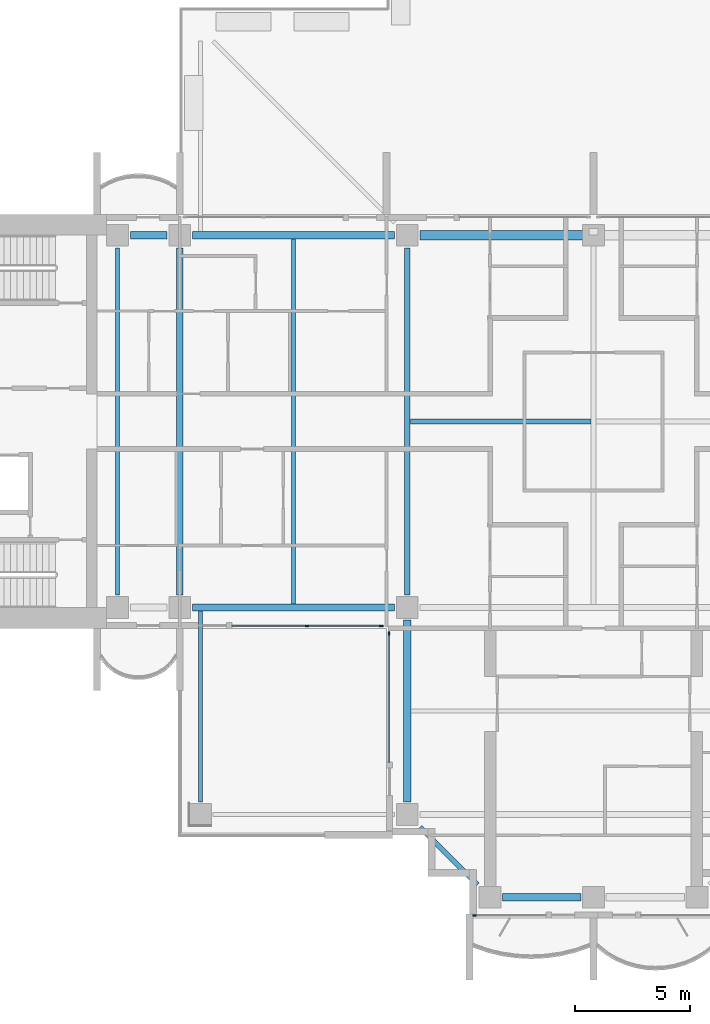
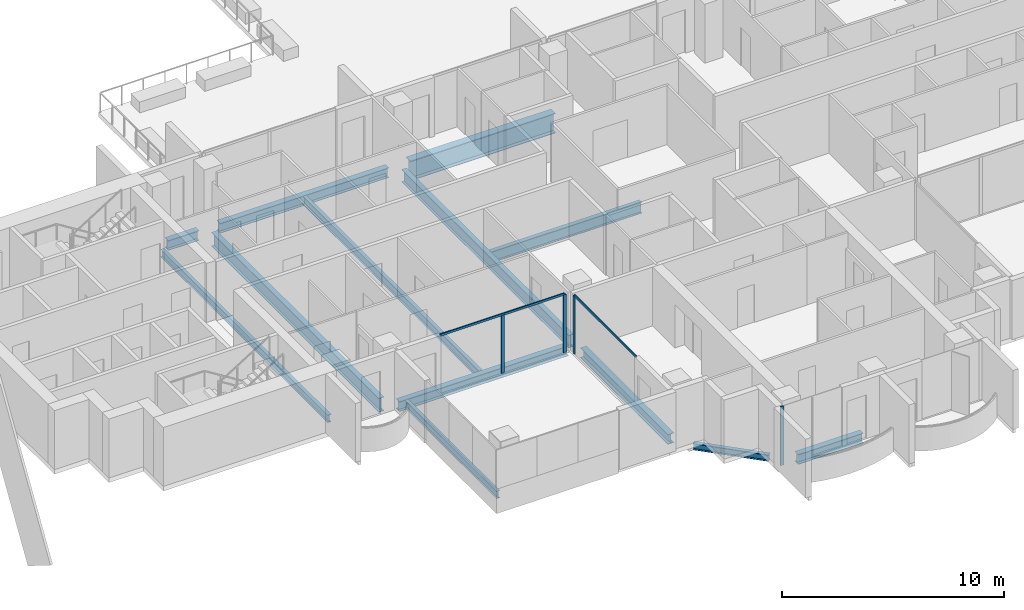
# One storey, part 2 of 18: 13 beams, 6 members, 3 elements without a shape of their own.
"""IFC4 building model written with IfcOpenShell, lengths in metres."""

from ifc_helpers import new_model, si_unit, direction, frame, origin, origin_2d, place, context, subcontext, project, spatial, rectangle, i_section, extrude, material, material_profile, profile_set, type_object, element, aggregate, save


model = new_model("IFC4")

# Units and contexts
model_context = context("Model", 3, precision=1e-05, world=origin(), true_north=direction((0.0, 1.0)))
body_context = subcontext(model_context, "Body", "Model", "MODEL_VIEW")
ifc_project = project(units=[si_unit("LENGTHUNIT", "METRE"), si_unit("AREAUNIT", "SQUARE_METRE"), si_unit("VOLUMEUNIT", "CUBIC_METRE"), si_unit("PLANEANGLEUNIT", "RADIAN"), si_unit("MASSUNIT", "GRAM", prefix="KILO")], contexts=[model_context])

# Site, building, storey
site_placement = place(None, origin())
site = spatial("IfcSite", under=ifc_project, at=site_placement, CompositionType="ELEMENT")
building_placement = place(site_placement, origin())
building = spatial("IfcBuilding", under=site, at=building_placement, Name="Perihelion Cross Residences", CompositionType="ELEMENT")
storey_placement = place(building_placement, frame((0.0, 0.0, 166.60009765625)))
storey = spatial("IfcBuildingStorey", under=building, at=storey_placement, Name="L40", CompositionType="ELEMENT", Elevation=166.60009765625)

# Curtain wall, members
ifc_material_1 = material(Name="Bronze anodised aluminium, tinted glazing", Category="aluminium")
curtain_wall_type = type_object("IfcCurtainWallType", Name="CW1", PredefinedType="NOTDEFINED", material=ifc_material_1)
curtain_wall_1_placement = place(storey_placement, origin())
curtain_wall_1 = element("IfcCurtainWall", 1, at=curtain_wall_1_placement, inside=storey, type_object=curtain_wall_type, Name="Curtain wall CW1 L40 west side south bay 2", PredefinedType="NOTDEFINED")
ifc_material_2 = material(Name="Bronze anodised aluminium", Category="aluminium")
ifc_material_profile_1 = material_profile(ifc_material_2, rectangle(XDim=0.06005859375, YDim=0.159912109375, at=origin_2d()), Name="CW1 mullion")
ifc_profile_set_1 = profile_set([ifc_material_profile_1], Name="Bronze anodised aluminium")
member_type_1 = type_object("IfcMemberType", Name="CW1 mullion", PredefinedType="MULLION", material=ifc_profile_set_1)
member_1_placement = place(storey_placement, frame((-12.46240234375, -8.89990234375, 0.0), z_axis=(0.0, 0.0, 1.0), x_axis=(0.0, 1.0, 0.0)))
member_1 = element("IfcMember", 2, at=member_1_placement, type_object=member_type_1, Name="CW1 mullion 2", PredefinedType="MULLION", context=body_context, shape_type="SweptSolid", body=[
    extrude(rectangle(XDim=0.06005859375, YDim=0.159912109375, at=origin_2d()), origin(), (0.0, 0.0, 1.0), 3.18994140625),
])
member_2_placement = place(storey_placement, frame((-9.22998046875, -8.89990234375, 0.0), z_axis=(0.0, 0.0, 1.0), x_axis=(0.0, 1.0, 0.0)))
member_2 = element("IfcMember", 3, at=member_2_placement, type_object=member_type_1, Name="CW1 mullion 3", PredefinedType="MULLION", context=body_context, shape_type="SweptSolid", body=[
    extrude(rectangle(XDim=0.06005859375, YDim=0.159912109375, at=origin_2d()), origin(), (0.0, 0.0, 1.0), 3.18994140625),
])

# Curtain wall, member
curtain_wall_2_placement = place(storey_placement, origin())
curtain_wall_2 = element("IfcCurtainWall", 4, at=curtain_wall_2_placement, inside=storey, type_object=curtain_wall_type, Name="Curtain wall CW1 L40 south side west bay 1", PredefinedType="NOTDEFINED")
member_3_placement = place(storey_placement, frame((-8.89990234375, -9.22998046875, 0.0), z_axis=(0.0, 0.0, 1.0), x_axis=(1.0, 0.0, 0.0)))
member_3 = element("IfcMember", 5, at=member_3_placement, type_object=member_type_1, Name="CW1 mullion 1", PredefinedType="MULLION", context=body_context, shape_type="SweptSolid", body=[
    extrude(rectangle(XDim=0.06005859375, YDim=0.159912109375, at=origin_2d()), origin(), (0.0, 0.0, 1.0), 3.18994140625),
])

curtain_wall_3_placement = place(storey_placement, origin())
curtain_wall_3 = element("IfcCurtainWall", 6, at=curtain_wall_3_placement, inside=storey, type_object=curtain_wall_type, Name="Curtain wall CW1 L40 south tip south bay 1", PredefinedType="NOTDEFINED")
member_4_placement = place(storey_placement, frame((-5.169921875, -21.5, 0.0), z_axis=(0.0, 0.0, 1.0), x_axis=(0.0, 1.0, 0.0)))
member_4 = element("IfcMember", 7, at=member_4_placement, type_object=member_type_1, Name="CW1 mullion 1", PredefinedType="MULLION", context=body_context, shape_type="SweptSolid", body=[
    extrude(rectangle(XDim=0.06005859375, YDim=0.159912109375, at=origin_2d()), origin(), (0.0, 0.0, 1.0), 3.25),
])
aggregate(curtain_wall_3, [member_4])

# Member
ifc_material_3 = material(Name="Bronze anodised aluminium", Category="aluminium")
ifc_material_profile_2 = material_profile(ifc_material_3, rectangle(XDim=0.06005859375, YDim=0.1201171875, at=origin_2d()), Name="CW1 transom")
ifc_profile_set_2 = profile_set([ifc_material_profile_2], Name="Bronze anodised aluminium")
member_type_2 = type_object("IfcMemberType", Name="CW1 transom", PredefinedType="USERDEFINED", material=ifc_profile_set_2)
member_5_placement = place(storey_placement, frame((-15.72509765625, -8.89990234375, 3.219970703125), z_axis=(1.0, 0.0, 0.0), x_axis=(0.0, 1.0, 0.0)))
member_5 = element("IfcMember", 8, at=member_5_placement, type_object=member_type_2, Name="CW1 head transom", ObjectType="TRANSOM", PredefinedType="USERDEFINED", context=body_context, shape_type="SweptSolid", body=[
    extrude(rectangle(XDim=0.06005859375, YDim=0.1201171875, at=origin_2d()), origin(), (0.0, 0.0, 1.0), 6.4951171875),
])

aggregate(curtain_wall_1, [member_1, member_2, member_5])

member_6_placement = place(storey_placement, frame((-8.89990234375, -9.22998046875, 3.219970703125), z_axis=(0.0, -1.0, 0.0), x_axis=(1.0, 0.0, 0.0)))
member_6 = element("IfcMember", 9, at=member_6_placement, type_object=member_type_2, Name="CW1 head transom", ObjectType="TRANSOM", PredefinedType="USERDEFINED", context=body_context, shape_type="SweptSolid", body=[
    extrude(rectangle(XDim=0.06005859375, YDim=0.1201171875, at=origin_2d()), origin(), (0.0, 0.0, 1.0), 5.594970703125),
])

aggregate(curtain_wall_2, [member_3, member_6])

# Beams
ifc_material_4 = material(Name="Steel S355", Category="steel")
ifc_material_profile_3 = material_profile(ifc_material_4, i_section(OverallWidth=0.177978515625, OverallDepth=0.406005859375, WebThickness=0.0078125, FlangeThickness=0.0126953125, at=origin_2d()), Name="W410x60")
ifc_profile_set_3 = profile_set([ifc_material_profile_3], Name="Steel S355")
beam_type_1 = type_object("IfcBeamType", Name="Core edge beam W410x60", PredefinedType="BEAM", material=ifc_profile_set_3)
beam_1_placement = place(storey_placement, frame((-17.10009765625, -8.256103515625, -0.453125), z_axis=(0.0, -1.0, 0.0), x_axis=(1.0, 0.0, 0.0)))
element("IfcBeam", 10, at=beam_1_placement, inside=storey, type_object=beam_type_1, Name="Core edge beam TB2 L40 corner no. 1", PredefinedType="BEAM", context=body_context, shape_type="SweptSolid", body=[
    extrude(i_section(OverallWidth=0.177978515625, OverallDepth=0.406005859375, WebThickness=0.0078125, FlangeThickness=0.0126953125, at=origin_2d()), origin(), (0.0, 0.0, 1.0), 8.2939453125),
])
ifc_material_5 = material(Name="Steel S355", Category="steel")
ifc_material_profile_4 = material_profile(ifc_material_5, i_section(OverallWidth=0.180908203125, OverallDepth=0.4169921875, WebThickness=0.010986328125, FlangeThickness=0.018310546875, at=origin_2d()), Name="W410x85")
ifc_profile_set_4 = profile_set([ifc_material_profile_4], Name="Steel S355")
beam_type_2 = type_object("IfcBeamType", Name="Core edge beam W410x85", PredefinedType="BEAM", material=ifc_profile_set_4)
beam_2_placement = place(storey_placement, frame((-20.699951171875, -7.550048828125, -0.45849609375), z_axis=(0.0, 1.0, 0.0), x_axis=(-1.0, 0.0, 0.0)))
element("IfcBeam", 11, at=beam_2_placement, inside=storey, type_object=beam_type_2, Name="Core edge beam TB6 L40 no. 1", PredefinedType="BEAM", context=body_context, shape_type="SweptSolid", body=[
    extrude(i_section(OverallWidth=0.180908203125, OverallDepth=0.4169921875, WebThickness=0.010986328125, FlangeThickness=0.018310546875, at=origin_2d()), origin(), (0.0, 0.0, 1.0), 15.10009765625),
])
ifc_material_6 = material(Name="Steel S355", Category="steel")
ifc_material_profile_5 = material_profile(ifc_material_6, i_section(OverallWidth=0.31201171875, OverallDepth=0.5439453125, WebThickness=0.0126953125, FlangeThickness=0.020263671875, at=origin_2d()), Name="W530x150")
ifc_profile_set_5 = profile_set([ifc_material_profile_5], Name="Steel S355")
beam_type_3 = type_object("IfcBeamType", Name="Edge beam W530x150", PredefinedType="SPANDREL", material=ifc_profile_set_5)
beam_3_placement = place(storey_placement, frame((-8.64990234375, 8.10009765625, -0.522216796875), z_axis=(-1.0, 0.0, 0.0), x_axis=(0.0, -1.0, 0.0)))
element("IfcBeam", 12, at=beam_3_placement, inside=storey, type_object=beam_type_3, Name="Edge beam SB4 L40 no. 6", PredefinedType="SPANDREL", context=body_context, shape_type="SweptSolid", body=[
    extrude(i_section(OverallWidth=0.31201171875, OverallDepth=0.5439453125, WebThickness=0.0126953125, FlangeThickness=0.020263671875, at=origin_2d()), origin(), (0.0, 0.0, 1.0), 8.800048828125),
])
beam_4_placement = place(storey_placement, frame((-18.550048828125, 8.10009765625, -0.522216796875), z_axis=(-1.0, 0.0, 0.0), x_axis=(0.0, -1.0, 0.0)))
element("IfcBeam", 13, at=beam_4_placement, inside=storey, type_object=beam_type_3, Name="Edge beam SB4 L40 no. 2", PredefinedType="SPANDREL", context=body_context, shape_type="SweptSolid", body=[
    extrude(i_section(OverallWidth=0.31201171875, OverallDepth=0.5439453125, WebThickness=0.0126953125, FlangeThickness=0.020263671875, at=origin_2d()), origin(), (0.0, 0.0, 1.0), 1.599853515625),
])
beam_5_placement = place(storey_placement, frame((-17.449951171875, -8.10009765625, -0.522216796875), z_axis=(1.0, 0.0, 0.0), x_axis=(0.0, 1.0, 0.0)))
element("IfcBeam", 14, at=beam_5_placement, inside=storey, type_object=beam_type_3, Name="Edge beam SB4 L40 no. 1", PredefinedType="SPANDREL", context=body_context, shape_type="SweptSolid", body=[
    extrude(i_section(OverallWidth=0.31201171875, OverallDepth=0.5439453125, WebThickness=0.0126953125, FlangeThickness=0.020263671875, at=origin_2d()), origin(), (0.0, 0.0, 1.0), 8.800048828125),
])
beam_6_placement = place(storey_placement, frame((-8.10009765625, -8.64990234375, -0.522216796875), z_axis=(0.0, -1.0, 0.0), x_axis=(1.0, 0.0, 0.0)))
element("IfcBeam", 15, at=beam_6_placement, inside=storey, type_object=beam_type_3, Name="Edge beam SB4 L40 no. 5", PredefinedType="SPANDREL", context=body_context, shape_type="SweptSolid", body=[
    extrude(i_section(OverallWidth=0.31201171875, OverallDepth=0.5439453125, WebThickness=0.0126953125, FlangeThickness=0.020263671875, at=origin_2d()), origin(), (0.0, 0.0, 1.0), 7.900146484375),
])
beam_7_placement = place(storey_placement, frame((-3.949951171875, -20.699951171875, -0.522216796875), z_axis=(1.0, 0.0, 0.0), x_axis=(0.0, 1.0, 0.0)))
element("IfcBeam", 16, at=beam_7_placement, inside=storey, type_object=beam_type_3, Name="Edge beam SB4 L40 no. 4", PredefinedType="SPANDREL", context=body_context, shape_type="SweptSolid", body=[
    extrude(i_section(OverallWidth=0.31201171875, OverallDepth=0.5439453125, WebThickness=0.0126953125, FlangeThickness=0.020263671875, at=origin_2d()), origin(), (0.0, 0.0, 1.0), 3.39990234375),
])
ifc_material_7 = material(Name="Steel S355", Category="steel")
ifc_material_profile_6 = material_profile(ifc_material_7, i_section(OverallWidth=0.26708984375, OverallDepth=0.77001953125, WebThickness=0.015625, FlangeThickness=0.025390625, at=origin_2d()), Name="W760x196")
ifc_profile_set_6 = profile_set([ifc_material_profile_6], Name="Steel S355")
beam_type_4 = type_object("IfcBeamType", Name="Floor girder W760x196", PredefinedType="BEAM", material=ifc_profile_set_6)
beam_8_placement = place(storey_placement, frame((-18.0, -7.550048828125, -0.635009765625), z_axis=(0.0, 1.0, 0.0), x_axis=(-1.0, 0.0, 0.0)))
element("IfcBeam", 17, at=beam_8_placement, inside=storey, type_object=beam_type_4, Name="Girder G4 L40 no. 1", PredefinedType="BEAM", context=body_context, shape_type="SweptSolid", body=[
    extrude(i_section(OverallWidth=0.26708984375, OverallDepth=0.77001953125, WebThickness=0.015625, FlangeThickness=0.025390625, at=origin_2d()), origin(), (0.0, 0.0, 1.0), 15.10009765625),
])
ifc_material_8 = material(Name="Steel S355", Category="steel")
ifc_material_profile_7 = material_profile(ifc_material_8, i_section(OverallWidth=0.19091796875, OverallDepth=0.45703125, WebThickness=0.009033203125, FlangeThickness=0.014404296875, at=origin_2d()), Name="W460x74")
ifc_profile_set_7 = profile_set([ifc_material_profile_7], Name="Steel S355")
beam_type_5 = type_object("IfcBeamType", Name="Floor joist W460x74", PredefinedType="JOIST", material=ifc_profile_set_7)
beam_9_placement = place(storey_placement, frame((-13.050048828125, -7.944091796875, -0.478515625), z_axis=(0.0, 1.0, 0.0), x_axis=(-1.0, 0.0, 0.0)))
element("IfcBeam", 18, at=beam_9_placement, inside=storey, type_object=beam_type_5, Name="Joist J5 L40 no. 1", PredefinedType="JOIST", context=body_context, shape_type="SweptSolid", body=[
    extrude(i_section(OverallWidth=0.19091796875, OverallDepth=0.45703125, WebThickness=0.009033203125, FlangeThickness=0.014404296875, at=origin_2d()), origin(), (0.0, 0.0, 1.0), 15.88818359375),
])
ifc_material_9 = material(Name="Steel S355", Category="steel")
ifc_material_profile_8 = material_profile(ifc_material_9, i_section(OverallWidth=0.22900390625, OverallDepth=0.612060546875, WebThickness=0.011962890625, FlangeThickness=0.01953125, at=origin_2d()), Name="W610x125")
ifc_profile_set_8 = profile_set([ifc_material_profile_8], Name="Steel S355")
beam_type_6 = type_object("IfcBeamType", Name="Hub cross beam W610x125", PredefinedType="BEAM", material=ifc_profile_set_8)
beam_10_placement = place(storey_placement, frame((-7.971435546875, 0.0, -0.55615234375), z_axis=(1.0, 0.0, 0.0), x_axis=(0.0, 1.0, 0.0)))
element("IfcBeam", 19, at=beam_10_placement, inside=storey, type_object=beam_type_6, Name="Hub cross beam XB4 L40 1 no. 1", PredefinedType="BEAM", context=body_context, shape_type="SweptSolid", body=[
    extrude(i_section(OverallWidth=0.22900390625, OverallDepth=0.612060546875, WebThickness=0.011962890625, FlangeThickness=0.01953125, at=origin_2d()), origin(), (0.0, 0.0, 1.0), 7.85693359375),
])
ifc_material_10 = material(Name="Steel S355", Category="steel")
ifc_material_profile_9 = material_profile(ifc_material_10, i_section(OverallWidth=0.257080078125, OverallDepth=0.693115234375, WebThickness=0.014404296875, FlangeThickness=0.023681640625, at=origin_2d()), Name="W690x170")
ifc_profile_set_9 = profile_set([ifc_material_profile_9], Name="Steel S355")
beam_type_7 = type_object("IfcBeamType", Name="Hub ring girder W690x170", PredefinedType="BEAM", material=ifc_profile_set_9)
beam_11_placement = place(storey_placement, frame((-8.10009765625, 7.550048828125, -0.5966796875), z_axis=(0.0, -1.0, 0.0), x_axis=(1.0, 0.0, 0.0)))
element("IfcBeam", 20, at=beam_11_placement, inside=storey, type_object=beam_type_7, Name="Hub ring girder RG4 L40 no. 2", PredefinedType="BEAM", context=body_context, shape_type="SweptSolid", body=[
    extrude(i_section(OverallWidth=0.257080078125, OverallDepth=0.693115234375, WebThickness=0.014404296875, FlangeThickness=0.023681640625, at=origin_2d()), origin(), (0.0, 0.0, 1.0), 15.10009765625),
])
ifc_material_11 = material(Name="Steel S355", Category="steel")
ifc_material_profile_10 = material_profile(ifc_material_11, i_section(OverallWidth=0.205078125, OverallDepth=0.35302734375, WebThickness=0.009521484375, FlangeThickness=0.016845703125, at=origin_2d()), Name="W360x79")
ifc_profile_set_10 = profile_set([ifc_material_profile_10], Name="Steel S355")
beam_type_8 = type_object("IfcBeamType", Name="Serration edge beam W360x79", PredefinedType="BEAM", material=ifc_profile_set_10)
beam_12_placement = place(storey_placement, frame((-7.550048828125, -17.64990234375, -0.426513671875), z_axis=(0.707106781187, -0.707106781187, 0.0), x_axis=(0.707106781187, 0.707106781187, 0.0)))
element("IfcBeam", 21, at=beam_12_placement, inside=storey, type_object=beam_type_8, Name="Serration edge beam EB4 L40 no. 1", PredefinedType="BEAM", context=body_context, shape_type="SweptSolid", body=[
    extrude(i_section(OverallWidth=0.205078125, OverallDepth=0.35302734375, WebThickness=0.009521484375, FlangeThickness=0.016845703125, at=origin_2d()), origin(), (0.0, 0.0, 1.0), 3.53564453125),
])
ifc_material_12 = material(Name="Steel S355", Category="steel")
ifc_material_profile_11 = material_profile(ifc_material_12, i_section(OverallWidth=0.40087890625, OverallDepth=1.090087890625, WebThickness=0.01806640625, FlangeThickness=0.031005859375, at=origin_2d()), Name="W1100x343")
ifc_profile_set_11 = profile_set([ifc_material_profile_11], Name="Steel S355")
beam_type_9 = type_object("IfcBeamType", Name="Transfer girder W1100x343", PredefinedType="BEAM", material=ifc_profile_set_11)
beam_13_placement = place(storey_placement, frame((0.0, 8.10009765625, -0.795166015625), z_axis=(-1.0, 0.0, 0.0), x_axis=(0.0, -1.0, 0.0)))
element("IfcBeam", 22, at=beam_13_placement, inside=storey, type_object=beam_type_9, Name="Hub ring girder TG1 L40 no. 1", PredefinedType="BEAM", context=body_context, shape_type="SweptSolid", body=[
    extrude(i_section(OverallWidth=0.40087890625, OverallDepth=1.090087890625, WebThickness=0.01806640625, FlangeThickness=0.031005859375, at=origin_2d()), origin(), (0.0, 0.0, 1.0), 7.550048828125),
])

save(model, "model.ifc")
